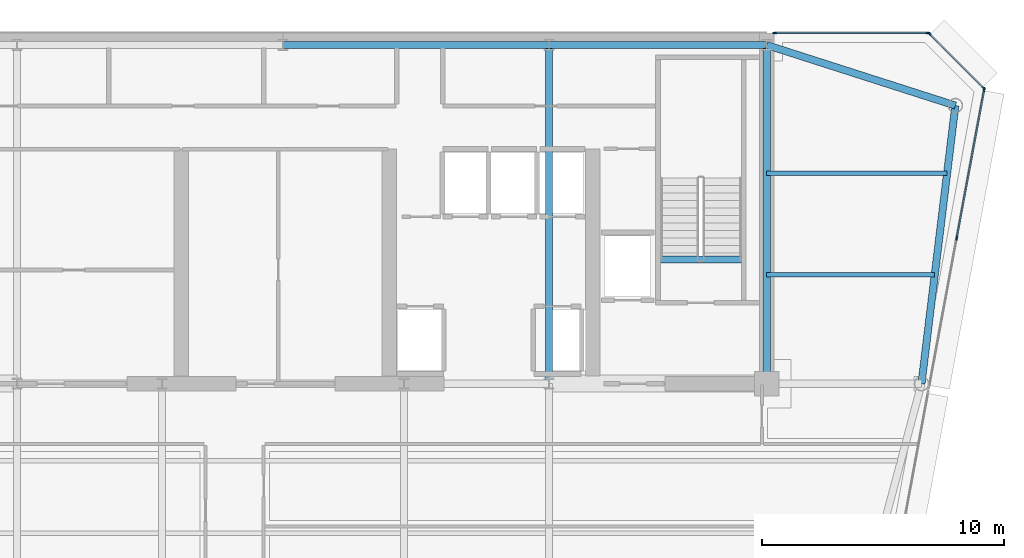
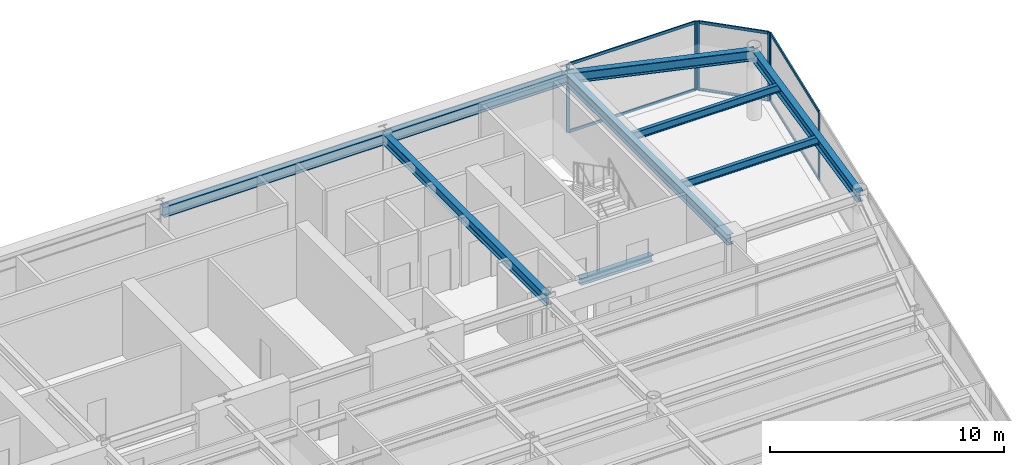
# One storey, part 9 of 16: 12 members, 9 beams, 3 elements without a shape of their own.
"""IFC4 building model written with IfcOpenShell, lengths in metres."""

from ifc_helpers import new_model, si_unit, direction, frame, origin, origin_2d, place, context, subcontext, project, spatial, rectangle, i_section, extrude, source, transform, mapped, material, layer, layer_set, material_profile, profile_set, type_object, element, aggregate, save


model = new_model("IFC4")

# Units and contexts
model_context = context("Model", 3, precision=1e-05, world=origin(), true_north=direction((0.0, 1.0)))
body_context = subcontext(model_context, "Body", "Model", "MODEL_VIEW")
ifc_project = project(units=[si_unit("LENGTHUNIT", "METRE"), si_unit("AREAUNIT", "SQUARE_METRE"), si_unit("VOLUMEUNIT", "CUBIC_METRE"), si_unit("PLANEANGLEUNIT", "RADIAN"), si_unit("MASSUNIT", "GRAM", prefix="KILO")], contexts=[model_context])

# Site, building, storey
site_placement = place(None, origin())
site = spatial("IfcSite", under=ifc_project, at=site_placement, CompositionType="ELEMENT")
building_placement = place(site_placement, origin())
building = spatial("IfcBuilding", under=site, at=building_placement, Name="Vaeldorn Concourse Tower", CompositionType="ELEMENT")
storey_placement = place(building_placement, frame((0.0, 0.0, 227.0)))
storey = spatial("IfcBuildingStorey", under=building, at=storey_placement, Name="L58", CompositionType="ELEMENT", Elevation=227.0)

# Beams
ifc_material_1 = material(Name="Steel S355", Category="steel")
ifc_material_profile_1 = material_profile(ifc_material_1, i_section(OverallWidth=0.300048828125, OverallDepth=0.340087890625, WebThickness=0.011962890625, FlangeThickness=0.021484375, FilletRadius=0.027099609375, at=origin_2d()), Name="HEB 340")
ifc_profile_set_1 = profile_set([ifc_material_profile_1], Name="Steel S355")
beam_type_1 = type_object("IfcBeamType", Name="BM-ST-TRIM", PredefinedType="BEAM", material=ifc_profile_set_1)
shared_shape_1 = source(origin(), body_context, "Body", "SweptSolid", [
    extrude(i_section(OverallWidth=0.300048828125, OverallDepth=0.340087890625, WebThickness=0.011962890625, FlangeThickness=0.021484375, FilletRadius=0.027099609375, at=origin_2d()), origin(), (0.0, 0.0, 1.0), 3.590087890625),
])
beam_1_placement = place(storey_placement, frame((49.47998046875, 41.639892578125, -0.389892578125), z_axis=(1.0, 0.0, 0.0), x_axis=(0.0, 1.0, 0.0)))
element("IfcBeam", 1, at=beam_1_placement, inside=storey, type_object=beam_type_1, Name="Stair Landing Trimmer Beam ST-2 L58", PredefinedType="BEAM", context=body_context, shape_type="MappedRepresentation", body=[
    mapped(shared_shape_1, transform((0.0, 0.0, 0.0), scale=1.0)),
])
ifc_material_profile_2 = material_profile(ifc_material_1, i_section(OverallWidth=0.179931640625, OverallDepth=0.39990234375, WebThickness=0.008544921875, FlangeThickness=0.013427734375, FilletRadius=0.02099609375, at=origin_2d()), Name="IPE 400")
ifc_profile_set_2 = profile_set([ifc_material_profile_2], Name="Steel S355")
beam_type_2 = type_object("IfcBeamType", Name="BM-JS-IPE400", PredefinedType="JOIST", material=ifc_profile_set_2)
shared_shape_2 = source(origin(), body_context, "Body", "SweptSolid", [
    extrude(i_section(OverallWidth=0.179931640625, OverallDepth=0.39990234375, WebThickness=0.008544921875, FlangeThickness=0.013427734375, FilletRadius=0.02099609375, at=origin_2d()), origin(), (0.0, 0.0, 1.0), 6.94775390625),
])
beam_2_placement = place(storey_placement, frame((54.0, 41.0, 3.3798828125), z_axis=(1.0, 0.0, 0.0), x_axis=(0.0, 1.0, 0.0)))
element("IfcBeam", 2, at=beam_2_placement, inside=storey, type_object=beam_type_2, Name="Beam JS-L58-NE-410", PredefinedType="JOIST", context=body_context, shape_type="MappedRepresentation", body=[
    mapped(shared_shape_2, transform((0.0, 0.0, 0.0), scale=1.0)),
])
shared_shape_3 = source(origin(), body_context, "Body", "SweptSolid", [
    extrude(i_section(OverallWidth=0.179931640625, OverallDepth=0.39990234375, WebThickness=0.008544921875, FlangeThickness=0.013427734375, FilletRadius=0.02099609375, at=origin_2d()), origin(), (0.0, 0.0, 1.0), 7.458984375),
])
beam_3_placement = place(storey_placement, frame((54.0, 45.199951171875, 3.3798828125), z_axis=(1.0, 0.0, 0.0), x_axis=(0.0, 1.0, 0.0)))
element("IfcBeam", 3, at=beam_3_placement, inside=storey, type_object=beam_type_2, Name="Beam JS-L58-NE-452", PredefinedType="JOIST", context=body_context, shape_type="MappedRepresentation", body=[
    mapped(shared_shape_3, transform((0.0, 0.0, 0.0), scale=1.0)),
])
ifc_material_profile_3 = material_profile(ifc_material_1, i_section(OverallWidth=0.300048828125, OverallDepth=0.550048828125, WebThickness=0.014892578125, FlangeThickness=0.029052734375, FilletRadius=0.027099609375, at=origin_2d()), Name="HEB 550")
ifc_profile_set_3 = profile_set([ifc_material_profile_3], Name="Steel S355")
beam_type_3 = type_object("IfcBeamType", Name="BM-PG-HEB550", PredefinedType="BEAM", material=ifc_profile_set_3)
shared_shape_4 = source(origin(), body_context, "Body", "SweptSolid", [
    extrude(i_section(OverallWidth=0.300048828125, OverallDepth=0.550048828125, WebThickness=0.014892578125, FlangeThickness=0.029052734375, FilletRadius=0.027099609375, at=origin_2d()), origin(), (0.0, 0.0, 1.0), 9.0),
])
beam_4_placement = place(storey_placement, frame((45.0, 50.5, 3.304931640625), z_axis=(1.0, 0.0, 0.0), x_axis=(0.0, 1.0, 0.0)))
element("IfcBeam", 4, at=beam_4_placement, inside=storey, type_object=beam_type_3, Name="Beam BM-L58-C-HC4-C-HC5", PredefinedType="BEAM", context=body_context, shape_type="MappedRepresentation", body=[
    mapped(shared_shape_4, transform((0.0, 0.0, 0.0), scale=1.0)),
])
shared_shape_5 = source(origin(), body_context, "Body", "SweptSolid", [
    extrude(i_section(OverallWidth=0.300048828125, OverallDepth=0.550048828125, WebThickness=0.014892578125, FlangeThickness=0.029052734375, FilletRadius=0.027099609375, at=origin_2d()), origin(), (0.0, 0.0, 1.0), 11.0),
])
beam_5_placement = place(storey_placement, frame((34.0, 50.5, 3.304931640625), z_axis=(1.0, 0.0, 0.0), x_axis=(0.0, 1.0, 0.0)))
element("IfcBeam", 5, at=beam_5_placement, inside=storey, type_object=beam_type_3, Name="Beam BM-L58-C-HC3-C-HC4", PredefinedType="BEAM", context=body_context, shape_type="MappedRepresentation", body=[
    mapped(shared_shape_5, transform((0.0, 0.0, 0.0), scale=1.0)),
])
shared_shape_6 = source(origin(), body_context, "Body", "SweptSolid", [
    extrude(i_section(OverallWidth=0.300048828125, OverallDepth=0.550048828125, WebThickness=0.014892578125, FlangeThickness=0.029052734375, FilletRadius=0.027099609375, at=origin_2d()), origin(), (0.0, 0.0, 1.0), 14.0),
])
for number, where, z_axis, x_axis, name in (
    (6, (45.0, 36.5, 3.304931640625), (0.0, 1.0, 0.0), (-1.0, 0.0, 0.0), "Beam BM-L58-C-FC5-C-HC4"),
    (7, (54.0, 36.5, 3.304931640625), (0.0, 1.0, 0.0), (-1.0, 0.0, 0.0), "Beam BM-L58-C-FC6-C-HC5"),
):
    element("IfcBeam", number, at=place(storey_placement, frame(where, z_axis=z_axis, x_axis=x_axis)), inside=storey, type_object=beam_type_3, Name=name, PredefinedType="BEAM", context=body_context, shape_type="MappedRepresentation", body=[
        mapped(shared_shape_6, transform((0.0, 0.0, 0.0), scale=1.0)),
    ])
shared_shape_7 = source(origin(), body_context, "Body", "SweptSolid", [
    extrude(i_section(OverallWidth=0.300048828125, OverallDepth=0.550048828125, WebThickness=0.014892578125, FlangeThickness=0.029052734375, FilletRadius=0.027099609375, at=origin_2d()), origin(), (0.0, 0.0, 1.0), 8.19091796875),
])
beam_6_placement = place(storey_placement, frame((54.0, 50.5, 3.304931640625), z_axis=(0.952282843383, -0.305216949396, 0.0), x_axis=(0.305216949396, 0.952282843383, 0.0)))
element("IfcBeam", 8, at=beam_6_placement, inside=storey, type_object=beam_type_3, Name="Beam BM-L58-C-HC5-C-NE1", PredefinedType="BEAM", context=body_context, shape_type="MappedRepresentation", body=[
    mapped(shared_shape_7, transform((0.0, 0.0, 0.0), scale=1.0)),
])
shared_shape_8 = source(origin(), body_context, "Body", "SweptSolid", [
    extrude(i_section(OverallWidth=0.300048828125, OverallDepth=0.550048828125, WebThickness=0.014892578125, FlangeThickness=0.029052734375, FilletRadius=0.027099609375, at=origin_2d()), origin(), (0.0, 0.0, 1.0), 11.5849609375),
])
beam_7_placement = place(storey_placement, frame((61.800048828125, 48.0, 3.304931640625), z_axis=(-0.120859382899, -0.992669637677, 0.0), x_axis=(0.992669637677, -0.120859382899, 0.0)))
element("IfcBeam", 9, at=beam_7_placement, inside=storey, type_object=beam_type_3, Name="Beam BM-L58-C-NE1-C-NE2", PredefinedType="BEAM", context=body_context, shape_type="MappedRepresentation", body=[
    mapped(shared_shape_8, transform((0.0, 0.0, 0.0), scale=1.0)),
])

# Curtain wall, members
ifc_material_2 = material(Name="Anodised Bronze Aluminium", Category="aluminium")
ifc_layer = layer(ifc_material_2, 0.179931640625)
ifc_layer_set = layer_set([ifc_layer], Name="Anodised Bronze Aluminium")
curtain_wall_type = type_object("IfcCurtainWallType", Name="CW-SYS-05", PredefinedType="NOTDEFINED", material=ifc_layer_set)
curtain_wall_1_placement = place(storey_placement, origin())
curtain_wall_1 = element("IfcCurtainWall", 10, at=curtain_wall_1_placement, inside=storey, type_object=curtain_wall_type, Name="Unitised Curtain Wall CW-L58-E08-1", PredefinedType="NOTDEFINED")
ifc_material_profile_4 = material_profile(ifc_material_2, rectangle(XDim=0.06494140625, YDim=0.14990234375, at=origin_2d()), Name="CWT 65x150")
ifc_profile_set_4 = profile_set([ifc_material_profile_4], Name="Anodised Bronze Aluminium")
member_type_1 = type_object("IfcMemberType", Name="CWT-BRONZE-150", PredefinedType="USERDEFINED", material=ifc_profile_set_4)
shared_shape_9 = source(origin(), body_context, "Body", "SweptSolid", [
    extrude(rectangle(XDim=0.06494140625, YDim=0.14990234375, at=origin_2d()), origin(), (0.0, 0.0, 1.0), 3.123046875),
])
member_1_placement = place(storey_placement, frame((62.9541015625, 48.745849609375, 0.032470703125), z_axis=(-0.707106781187, 0.707106781187, 0.0), x_axis=(-0.707106781187, -0.707106781187, 0.0)))
member_1 = element("IfcMember", 11, at=member_1_placement, type_object=member_type_1, Name="CW-05 transom 1.1", ObjectType="TRANSOM", PredefinedType="USERDEFINED", context=body_context, shape_type="MappedRepresentation", body=[
    mapped(shared_shape_9, transform((0.0, 0.0, 0.0), scale=1.0)),
])
member_2_placement = place(storey_placement, frame((62.9541015625, 48.745849609375, 3.547607421875), z_axis=(-0.707106781187, 0.707106781187, 0.0), x_axis=(-0.707106781187, -0.707106781187, 0.0)))
member_2 = element("IfcMember", 12, at=member_2_placement, type_object=member_type_1, Name="CW-05 transom 1.2", ObjectType="TRANSOM", PredefinedType="USERDEFINED", context=body_context, shape_type="MappedRepresentation", body=[
    mapped(shared_shape_9, transform((0.0, 0.0, 0.0), scale=1.0)),
])

curtain_wall_2_placement = place(storey_placement, origin())
curtain_wall_2 = element("IfcCurtainWall", 13, at=curtain_wall_2_placement, inside=storey, type_object=curtain_wall_type, Name="Unitised Curtain Wall CW-L58-E07-2", PredefinedType="NOTDEFINED")
ifc_material_profile_5 = material_profile(ifc_material_2, rectangle(XDim=0.06494140625, YDim=0.169921875, at=origin_2d()), Name="CWM 65x170")
ifc_profile_set_5 = profile_set([ifc_material_profile_5], Name="Anodised Bronze Aluminium")
member_type_2 = type_object("IfcMemberType", Name="CWM-BRONZE-170", PredefinedType="MULLION", material=ifc_profile_set_5)
shared_shape_10 = source(origin(), body_context, "Body", "SweptSolid", [
    extrude(rectangle(XDim=0.06494140625, YDim=0.169921875, at=origin_2d()), origin(), (0.0, 0.0, 1.0), 3.580078125),
])
member_3_placement = place(storey_placement, frame((61.857421875, 42.5234375, 0.0), z_axis=(0.0, 0.0, 1.0), x_axis=(-0.983319198447, 0.181888300792, 0.0)))
member_3 = element("IfcMember", 14, at=member_3_placement, type_object=member_type_2, Name="CW-05 mullion 2", PredefinedType="MULLION", context=body_context, shape_type="MappedRepresentation", body=[
    mapped(shared_shape_10, transform((0.0, 0.0, 0.0), scale=1.0)),
])
member_4_placement = place(storey_placement, frame((62.994140625, 48.66796875, 0.0), z_axis=(0.0, 0.0, 1.0), x_axis=(-0.983319198447, 0.181888300792, 0.0)))
member_4 = element("IfcMember", 15, at=member_4_placement, type_object=member_type_2, Name="CW-05 mullion 3", PredefinedType="MULLION", context=body_context, shape_type="MappedRepresentation", body=[
    mapped(shared_shape_10, transform((0.0, 0.0, 0.0), scale=1.0)),
])

# Member
member_5_placement = place(storey_placement, frame((62.97705078125, 48.722900390625, 0.0), z_axis=(0.0, 0.0, 1.0), x_axis=(-0.707106781187, -0.707106781187, 0.0)))
member_5 = element("IfcMember", 16, at=member_5_placement, type_object=member_type_2, Name="CW-05 mullion 1", PredefinedType="MULLION", context=body_context, shape_type="MappedRepresentation", body=[
    mapped(shared_shape_10, transform((0.0, 0.0, 0.0), scale=1.0)),
])

member_6_placement = place(storey_placement, frame((60.722900390625, 50.97705078125, 0.0), z_axis=(0.0, 0.0, 1.0), x_axis=(-0.707106781187, -0.707106781187, 0.0)))
member_6 = element("IfcMember", 17, at=member_6_placement, type_object=member_type_2, Name="CW-05 mullion 2", PredefinedType="MULLION", context=body_context, shape_type="MappedRepresentation", body=[
    mapped(shared_shape_10, transform((0.0, 0.0, 0.0), scale=1.0)),
])

aggregate(curtain_wall_1, [member_5, member_6, member_1, member_2])

# Curtain wall, members
curtain_wall_3_placement = place(storey_placement, origin())
curtain_wall_3 = element("IfcCurtainWall", 18, at=curtain_wall_3_placement, inside=storey, type_object=curtain_wall_type, Name="Unitised Curtain Wall CW-L58-E09-1", PredefinedType="NOTDEFINED")
member_7_placement = place(storey_placement, frame((60.66748046875, 51.0, 0.0), z_axis=(0.0, 0.0, 1.0), x_axis=(0.0, -1.0, 0.0)))
member_7 = element("IfcMember", 19, at=member_7_placement, type_object=member_type_2, Name="CW-05 mullion 1", PredefinedType="MULLION", context=body_context, shape_type="MappedRepresentation", body=[
    mapped(shared_shape_10, transform((0.0, 0.0, 0.0), scale=1.0)),
])
member_8_placement = place(storey_placement, frame((54.327392578125, 51.0, 0.0), z_axis=(0.0, 0.0, 1.0), x_axis=(0.0, -1.0, 0.0)))
member_8 = element("IfcMember", 20, at=member_8_placement, type_object=member_type_2, Name="CW-05 mullion 2", PredefinedType="MULLION", context=body_context, shape_type="MappedRepresentation", body=[
    mapped(shared_shape_10, transform((0.0, 0.0, 0.0), scale=1.0)),
])
shared_shape_11 = source(origin(), body_context, "Body", "SweptSolid", [
    extrude(rectangle(XDim=0.06494140625, YDim=0.14990234375, at=origin_2d()), origin(), (0.0, 0.0, 1.0), 6.27490234375),
])
member_9_placement = place(storey_placement, frame((60.635009765625, 51.0, 0.032470703125), z_axis=(-1.0, 0.0, 0.0), x_axis=(0.0, -1.0, 0.0)))
member_9 = element("IfcMember", 21, at=member_9_placement, type_object=member_type_1, Name="CW-05 transom 1.1", ObjectType="TRANSOM", PredefinedType="USERDEFINED", context=body_context, shape_type="MappedRepresentation", body=[
    mapped(shared_shape_11, transform((0.0, 0.0, 0.0), scale=1.0)),
])
member_10_placement = place(storey_placement, frame((60.635009765625, 51.0, 3.547607421875), z_axis=(-1.0, 0.0, 0.0), x_axis=(0.0, -1.0, 0.0)))
member_10 = element("IfcMember", 22, at=member_10_placement, type_object=member_type_1, Name="CW-05 transom 1.2", ObjectType="TRANSOM", PredefinedType="USERDEFINED", context=body_context, shape_type="MappedRepresentation", body=[
    mapped(shared_shape_11, transform((0.0, 0.0, 0.0), scale=1.0)),
])
aggregate(curtain_wall_3, [member_7, member_8, member_9, member_10])

# Member
shared_shape_12 = source(origin(), body_context, "Body", "SweptSolid", [
    extrude(rectangle(XDim=0.06494140625, YDim=0.14990234375, at=origin_2d()), origin(), (0.0, 0.0, 1.0), 6.183837890625),
])
member_11_placement = place(storey_placement, frame((61.863525390625, 42.555419921875, 0.032470703125), z_axis=(0.181889913007, 0.983318900228, 0.0), x_axis=(-0.983318900228, 0.181889913007, 0.0)))
member_11 = element("IfcMember", 23, at=member_11_placement, type_object=member_type_1, Name="CW-05 transom 2.1", ObjectType="TRANSOM", PredefinedType="USERDEFINED", context=body_context, shape_type="MappedRepresentation", body=[
    mapped(shared_shape_12, transform((0.0, 0.0, 0.0), scale=1.0)),
])

member_12_placement = place(storey_placement, frame((61.863525390625, 42.555419921875, 3.547607421875), z_axis=(0.181889913007, 0.983318900228, 0.0), x_axis=(-0.983318900228, 0.181889913007, 0.0)))
member_12 = element("IfcMember", 24, at=member_12_placement, type_object=member_type_1, Name="CW-05 transom 2.2", ObjectType="TRANSOM", PredefinedType="USERDEFINED", context=body_context, shape_type="MappedRepresentation", body=[
    mapped(shared_shape_12, transform((0.0, 0.0, 0.0), scale=1.0)),
])

aggregate(curtain_wall_2, [member_3, member_4, member_11, member_12])

save(model, "model.ifc")
